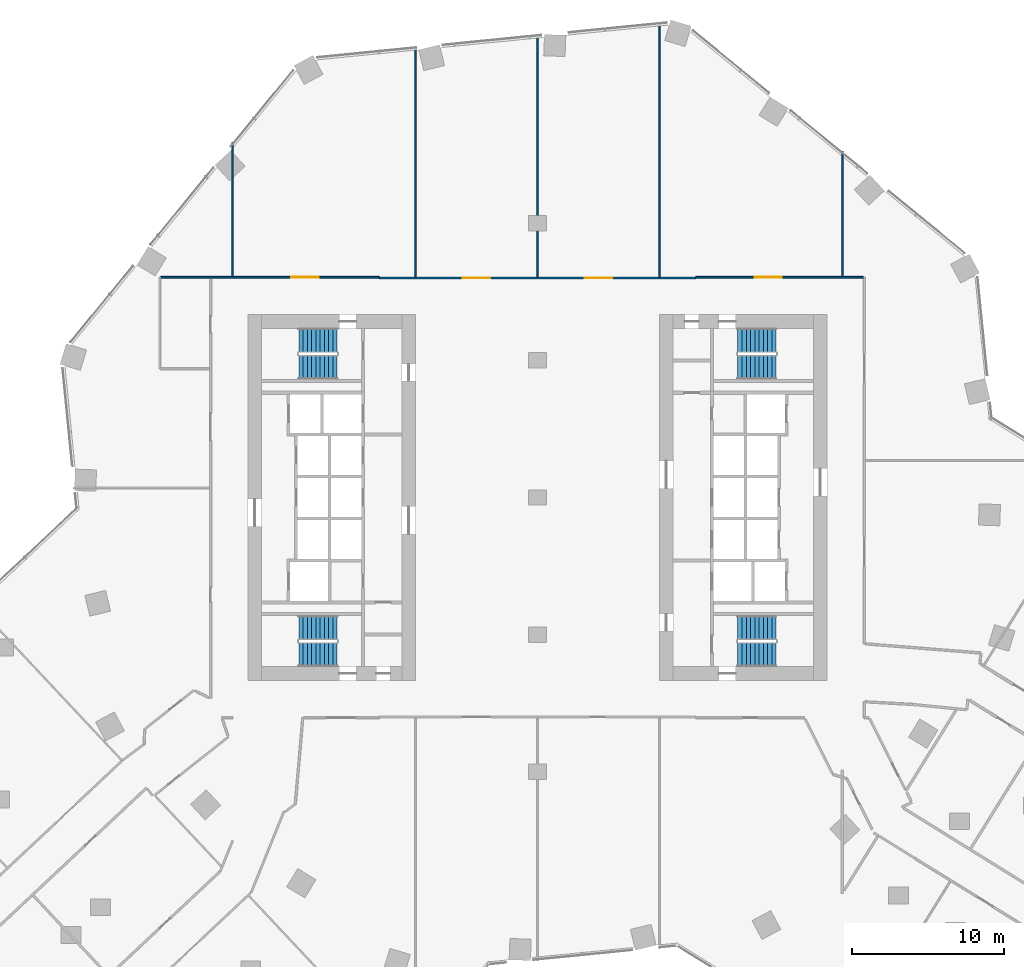
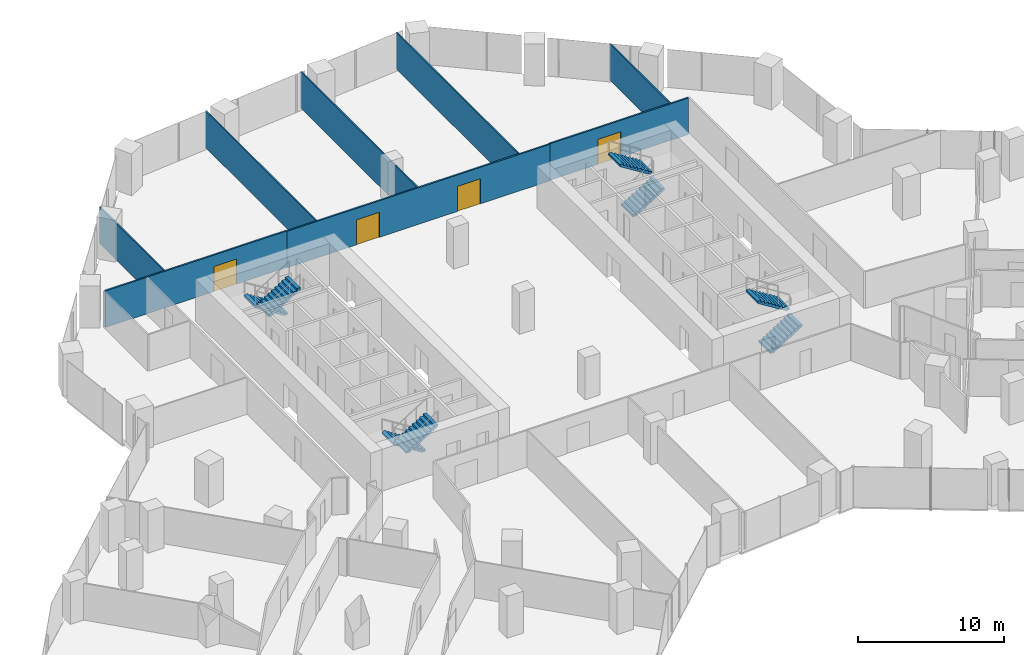
# One storey, part 33 of 34: 8 stair flights, 8 walls, 4 doors, 4 openings, 4 elements without a shape of their own.
"""IFC4 building model written with IfcOpenShell, lengths in metres."""

from ifc_helpers import new_model, si_unit, direction, frame, frame_2d, origin, place, context, subcontext, project, spatial, polyline, rectangle, outline, extrude, material, layer, layer_set, type_object, element, fill, aggregate, save


model = new_model("IFC4")

# Units and contexts
model_context = context("Model", 3, precision=1e-05, world=origin(), true_north=direction((0.0, 1.0)))
body_context = subcontext(model_context, "Body", "Model", "MODEL_VIEW")
ifc_project = project(units=[si_unit("LENGTHUNIT", "METRE"), si_unit("AREAUNIT", "SQUARE_METRE"), si_unit("VOLUMEUNIT", "CUBIC_METRE"), si_unit("PLANEANGLEUNIT", "RADIAN"), si_unit("MASSUNIT", "GRAM", prefix="KILO")], contexts=[model_context])

# Site, building, storey
site_placement = place(None, origin())
site = spatial("IfcSite", under=ifc_project, at=site_placement, CompositionType="ELEMENT")
building_placement = place(site_placement, origin())
building = spatial("IfcBuilding", under=site, at=building_placement, Name="Orlundy Tower", CompositionType="ELEMENT")
storey_placement = place(building_placement, frame((0.0, 0.0, 47.800048828125)))
storey = spatial("IfcBuildingStorey", under=building, at=storey_placement, Name="L10", CompositionType="ELEMENT", Elevation=47.800048828125)

# Walls
ifc_material_1 = material(Name="Gypsum board partition")
ifc_layer_1 = layer(ifc_material_1, 0.10009765625)
ifc_layer_set_1 = layer_set([ifc_layer_1], Name="Floor partition 100")
wall_type_1 = type_object("IfcWallType", Name="Floor partition 100", PredefinedType="PARTITIONING", material=ifc_layer_set_1)
wall_1_placement = place(storey_placement, frame((20.0, 14.513916015625, 0.0), z_axis=(0.0, 0.0, 1.0), x_axis=(0.0, 1.0, 0.0)))
element("IfcWall", 1, at=wall_1_placement, inside=storey, type_object=wall_type_1, Name="wall-int-L10-077", PredefinedType="PARTITIONING", context=body_context, shape_type="SweptSolid", body=[
    extrude(rectangle(XDim=8.2060546875, YDim=0.10009765625, at=frame_2d((4.10302734375, 0.0))), origin(), (0.0, 0.0, 1.0), 3.06005859375),
])
wall_2_placement = place(storey_placement, frame((8.0, 14.462890625, 0.0), z_axis=(0.0, 0.0, 1.0), x_axis=(0.0, 1.0, 0.0)))
element("IfcWall", 2, at=wall_2_placement, inside=storey, type_object=wall_type_1, Name="wall-int-L10-079", PredefinedType="PARTITIONING", context=body_context, shape_type="SweptSolid", body=[
    extrude(rectangle(XDim=16.72900390625, YDim=0.10009765625, at=frame_2d((8.364501953125, 0.0))), origin(), (0.0, 0.0, 1.0), 3.06005859375),
])
wall_3_placement = place(storey_placement, frame((0.0, 14.462890625, 0.0), z_axis=(0.0, 0.0, 1.0), x_axis=(0.0, 1.0, 0.0)))
element("IfcWall", 3, at=wall_3_placement, inside=storey, type_object=wall_type_1, Name="wall-int-L10-081", PredefinedType="PARTITIONING", context=body_context, shape_type="SweptSolid", body=[
    extrude(rectangle(XDim=15.93505859375, YDim=0.10009765625, at=frame_2d((7.967529296875, 0.0))), origin(), (0.0, 0.0, 1.0), 3.06005859375),
])
wall_4_placement = place(storey_placement, frame((-8.0, 14.462890625, 0.0), z_axis=(0.0, 0.0, 1.0), x_axis=(0.0, 1.0, 0.0)))
element("IfcWall", 4, at=wall_4_placement, inside=storey, type_object=wall_type_1, Name="wall-int-L10-083", PredefinedType="PARTITIONING", context=body_context, shape_type="SweptSolid", body=[
    extrude(rectangle(XDim=15.14208984375, YDim=0.10009765625, at=frame_2d((7.571044921875, 0.0))), origin(), (0.0, 0.0, 1.0), 3.06005859375),
])
wall_5_placement = place(storey_placement, frame((-20.0, 14.513916015625, 0.0), z_axis=(0.0, 0.0, 1.0), x_axis=(0.0, 1.0, 0.0)))
element("IfcWall", 5, at=wall_5_placement, inside=storey, type_object=wall_type_1, Name="wall-int-L10-084", PredefinedType="PARTITIONING", context=body_context, shape_type="SweptSolid", body=[
    extrude(rectangle(XDim=8.80517578125, YDim=0.10009765625, at=frame_2d((4.402587890625, 0.0))), origin(), (0.0, 0.0, 1.0), 3.06005859375),
])

# Wall, openings, doors
ifc_material_2 = material(Name="Gypsum board partition, double layer")
ifc_layer_2 = layer(ifc_material_2, 0.125)
ifc_layer_set_2 = layer_set([ifc_layer_2], Name="Floor partition 125")
wall_type_2 = type_object("IfcWallType", Name="Floor partition 125", PredefinedType="PARTITIONING", material=ifc_layer_set_2)
wall_6_placement = place(storey_placement, frame((-10.389892578125, 14.40087890625, 0.0), z_axis=(0.0, 0.0, 1.0), x_axis=(1.0, 0.0, 0.0)))
wall_6 = element("IfcWall", 6, at=wall_6_placement, inside=storey, type_object=wall_type_2, Name="wall-int-L10-041", PredefinedType="PARTITIONING", context=body_context, shape_type="SweptSolid", body=[
    extrude(rectangle(XDim=20.781005859375, YDim=0.125, at=frame_2d((10.390625, 0.0))), origin(), (0.0, 0.0, 1.0), 3.06005859375),
])
opening_1_placement = place(wall_6_placement, frame((13.489990234375, 0.0, 0.0)))
opening_1 = element("IfcOpeningElement", 7, at=opening_1_placement, cuts=wall_6, Name="Opening 09132", PredefinedType="OPENING", context=body_context, shape_type="SweptSolid", body=[
    extrude(rectangle(XDim=1.800048828125, YDim=2.10009765625, at=frame_2d((0.89990234375, 1.050048828125))), frame((0.0, 0.072509765625, 0.0), z_axis=(0.0, -1.0, 0.0), x_axis=(1.0, 0.0, 0.0)), (0.0, 0.0, 1.0), 0.14501953125),
])
opening_2_placement = place(wall_6_placement, frame((5.489990234375, 0.0, 0.0)))
opening_2 = element("IfcOpeningElement", 8, at=opening_2_placement, cuts=wall_6, Name="Opening 09133", PredefinedType="OPENING", context=body_context, shape_type="SweptSolid", body=[
    extrude(rectangle(XDim=1.800048828125, YDim=2.10009765625, at=frame_2d((0.89990234375, 1.050048828125))), frame((0.0, 0.072509765625, 0.0), z_axis=(0.0, -1.0, 0.0), x_axis=(1.0, 0.0, 0.0)), (0.0, 0.0, 1.0), 0.14501953125),
])
ifc_material_3 = material(Name="Timber door leaf", Category="wood")
door_type = type_object("IfcDoorType", Name="Floor door double 1800 FD30S", OperationType="NOTDEFINED", PredefinedType="DOOR", material=ifc_material_3)
door_1_placement = place(opening_1_placement, origin())
door_1 = element("IfcDoor", 9, at=door_1_placement, inside=storey, type_object=door_type, Name="Door 09132", OperationType="DOUBLE_DOOR_SINGLE_SWING", OverallHeight=2.10009765625, OverallWidth=1.800048828125, PredefinedType="DOOR", context=body_context, shape_type="SweptSolid", body=[
    extrude(rectangle(XDim=1.800048828125, YDim=2.10009765625, at=frame_2d((0.89990234375, 1.050048828125))), frame((0.0, 0.02490234375, 0.0), z_axis=(0.0, -1.0, 0.0), x_axis=(1.0, 0.0, 0.0)), (0.0, 0.0, 1.0), 0.050048828125),
])
fill(opening_1, door_1)
door_2_placement = place(opening_2_placement, origin())
door_2 = element("IfcDoor", 10, at=door_2_placement, inside=storey, type_object=door_type, Name="Door 09133", OperationType="DOUBLE_DOOR_SINGLE_SWING", OverallHeight=2.10009765625, OverallWidth=1.800048828125, PredefinedType="DOOR", context=body_context, shape_type="SweptSolid", body=[
    extrude(rectangle(XDim=1.800048828125, YDim=2.10009765625, at=frame_2d((0.89990234375, 1.050048828125))), frame((0.0, 0.02490234375, 0.0), z_axis=(0.0, -1.0, 0.0), x_axis=(1.0, 0.0, 0.0)), (0.0, 0.0, 1.0), 0.050048828125),
])
fill(opening_2, door_2)

# Wall, opening, door
wall_7_placement = place(storey_placement, frame((-24.73095703125, 14.449951171875, 0.0), z_axis=(0.0, 0.0, 1.0), x_axis=(1.0, 0.0, 0.0)))
wall_7 = element("IfcWall", 11, at=wall_7_placement, inside=storey, type_object=wall_type_2, Name="wall-int-L10-042", PredefinedType="PARTITIONING", context=body_context, shape_type="SweptSolid", body=[
    extrude(rectangle(XDim=14.33984375, YDim=0.125, at=frame_2d((7.169921875, 0.0))), origin(), (0.0, 0.0, 1.0), 3.06005859375),
])
opening_3_placement = place(wall_7_placement, frame((8.5810546875, 0.0, 0.0)))
opening_3 = element("IfcOpeningElement", 12, at=opening_3_placement, cuts=wall_7, Name="Opening 09134", PredefinedType="OPENING", context=body_context, shape_type="SweptSolid", body=[
    extrude(rectangle(XDim=1.800048828125, YDim=2.10009765625, at=frame_2d((0.89990234375, 1.050048828125))), frame((0.0, 0.072509765625, 0.0), z_axis=(0.0, -1.0, 0.0), x_axis=(1.0, 0.0, 0.0)), (0.0, 0.0, 1.0), 0.14501953125),
])
door_3_placement = place(opening_3_placement, origin())
door_3 = element("IfcDoor", 13, at=door_3_placement, inside=storey, type_object=door_type, Name="Door 09134", OperationType="DOUBLE_DOOR_SINGLE_SWING", OverallHeight=2.10009765625, OverallWidth=1.800048828125, PredefinedType="DOOR", context=body_context, shape_type="SweptSolid", body=[
    extrude(rectangle(XDim=1.800048828125, YDim=2.10009765625, at=frame_2d((0.89990234375, 1.050048828125))), frame((0.0, 0.02490234375, 0.0), z_axis=(0.0, -1.0, 0.0), x_axis=(1.0, 0.0, 0.0)), (0.0, 0.0, 1.0), 0.050048828125),
])
fill(opening_3, door_3)

wall_8_placement = place(storey_placement, frame((10.39111328125, 14.450927734375, 0.0), z_axis=(0.0, 0.0, 1.0), x_axis=(1.0, 0.0, 0.0)))
wall_8 = element("IfcWall", 14, at=wall_8_placement, inside=storey, type_object=wall_type_2, Name="wall-int-L10-043", PredefinedType="PARTITIONING", context=body_context, shape_type="SweptSolid", body=[
    extrude(rectangle(XDim=10.995849609375, YDim=0.125, at=frame_2d((5.498046875, 0.0))), origin(), (0.0, 0.0, 1.0), 3.06005859375),
])
opening_4_placement = place(wall_8_placement, frame((3.85009765625, 0.0, 0.0)))
opening_4 = element("IfcOpeningElement", 15, at=opening_4_placement, cuts=wall_8, Name="Opening 09131", PredefinedType="OPENING", context=body_context, shape_type="SweptSolid", body=[
    extrude(rectangle(XDim=1.800048828125, YDim=2.10009765625, at=frame_2d((0.89990234375, 1.050048828125))), frame((0.0, 0.072509765625, 0.0), z_axis=(0.0, -1.0, 0.0), x_axis=(1.0, 0.0, 0.0)), (0.0, 0.0, 1.0), 0.14501953125),
])
door_4_placement = place(opening_4_placement, origin())
door_4 = element("IfcDoor", 16, at=door_4_placement, inside=storey, type_object=door_type, Name="Door 09131", OperationType="DOUBLE_DOOR_SINGLE_SWING", OverallHeight=2.10009765625, OverallWidth=1.800048828125, PredefinedType="DOOR", context=body_context, shape_type="SweptSolid", body=[
    extrude(rectangle(XDim=1.800048828125, YDim=2.10009765625, at=frame_2d((0.89990234375, 1.050048828125))), frame((0.0, 0.02490234375, 0.0), z_axis=(0.0, -1.0, 0.0), x_axis=(1.0, 0.0, 0.0)), (0.0, 0.0, 1.0), 0.050048828125),
])
fill(opening_4, door_4)

# Stair, stair flights
ifc_material_4 = material(Name="Concrete C50/60", Category="concrete")
stair_type = type_object("IfcStairType", Name="Exit Stair 20 risers", PredefinedType="HALF_TURN_STAIR", material=ifc_material_4)
stair_1_placement = place(storey_placement, origin())
stair_1 = element("IfcStair", 17, at=stair_1_placement, inside=storey, type_object=stair_type, Name="L10 Exit Stair ST-W1", PredefinedType="HALF_TURN_STAIR")
ifc_material_5 = material(Name="Concrete C50/60", Category="concrete")
stair_flight_type = type_object("IfcStairFlightType", Name="Stair Flight 10 risers", PredefinedType="STRAIGHT", material=ifc_material_5)
stair_flight_1_placement = place(storey_placement, frame((-13.139892578125, 10.300048828125, 0.0), z_axis=(0.0, 0.0, 1.0), x_axis=(-1.0, 0.0, 0.0)))
stair_flight_1 = element("IfcStairFlight", 18, at=stair_flight_1_placement, type_object=stair_flight_type, Name="ST-W1 flight 1", NumberOfRisers=10, NumberOfTreads=9, PredefinedType="STRAIGHT", RiserHeight=0.175, TreadLength=0.28, context=body_context, shape_type="SweptSolid", body=[
    extrude(outline(polyline([(0.0, 0.0), (0.0, 0.175048828125), (0.280029296875, 0.175048828125), (0.280029296875, 0.35009765625), (0.56005859375, 0.35009765625), (0.56005859375, 0.52490234375), (0.840087890625, 0.52490234375), (0.840087890625, 0.699951171875), (1.1201171875, 0.699951171875), (1.1201171875, 0.875), (1.39990234375, 0.875), (1.39990234375, 1.050048828125), (1.679931640625, 1.050048828125), (1.679931640625, 1.22509765625), (1.9599609375, 1.22509765625), (1.9599609375, 1.39990234375), (2.239990234375, 1.39990234375), (2.239990234375, 1.574951171875), (2.52001953125, 1.574951171875), (2.52001953125, 1.75), (2.52001953125, 1.398193359375), (0.28271484375, 0.0), (0.0, 0.0)])), frame((0.0, 0.800048828125, 0.0), z_axis=(0.0, -1.0, 0.0), x_axis=(1.0, 0.0, 0.0)), (0.0, 0.0, 1.0), 1.60009765625),
])
stair_flight_2_placement = place(storey_placement, frame((-15.659912109375, 8.550048828125, 1.75), z_axis=(0.0, 0.0, 1.0), x_axis=(1.0, 0.0, 0.0)))
stair_flight_2 = element("IfcStairFlight", 19, at=stair_flight_2_placement, type_object=stair_flight_type, Name="ST-W1 flight 2", NumberOfRisers=10, NumberOfTreads=9, PredefinedType="STRAIGHT", RiserHeight=0.175, TreadLength=0.28, context=body_context, shape_type="SweptSolid", body=[
    extrude(outline(polyline([(0.0, 0.0), (0.0, 0.175048828125), (0.280029296875, 0.175048828125), (0.280029296875, 0.35009765625), (0.56005859375, 0.35009765625), (0.56005859375, 0.52490234375), (0.840087890625, 0.52490234375), (0.840087890625, 0.699951171875), (1.1201171875, 0.699951171875), (1.1201171875, 0.875), (1.39990234375, 0.875), (1.39990234375, 1.050048828125), (1.679931640625, 1.050048828125), (1.679931640625, 1.22509765625), (1.9599609375, 1.22509765625), (1.9599609375, 1.39990234375), (2.239990234375, 1.39990234375), (2.239990234375, 1.574951171875), (2.52001953125, 1.574951171875), (2.52001953125, 1.75), (2.52001953125, 1.398193359375), (0.28271484375, 0.0), (0.0, 0.0)])), frame((0.0, 0.800048828125, 0.0), z_axis=(0.0, -1.0, 0.0), x_axis=(1.0, 0.0, 0.0)), (0.0, 0.0, 1.0), 1.60009765625),
])
aggregate(stair_1, [stair_flight_1, stair_flight_2])

stair_2_placement = place(storey_placement, origin())
stair_2 = element("IfcStair", 20, at=stair_2_placement, inside=storey, type_object=stair_type, Name="L10 Exit Stair ST-W2", PredefinedType="HALF_TURN_STAIR")
stair_flight_3_placement = place(storey_placement, frame((-13.139892578125, -8.550048828125, 0.0), z_axis=(0.0, 0.0, 1.0), x_axis=(-1.0, 0.0, 0.0)))
stair_flight_3 = element("IfcStairFlight", 21, at=stair_flight_3_placement, type_object=stair_flight_type, Name="ST-W2 flight 1", NumberOfRisers=10, NumberOfTreads=9, PredefinedType="STRAIGHT", RiserHeight=0.175, TreadLength=0.28, context=body_context, shape_type="SweptSolid", body=[
    extrude(outline(polyline([(0.0, 0.0), (0.0, 0.175048828125), (0.280029296875, 0.175048828125), (0.280029296875, 0.35009765625), (0.56005859375, 0.35009765625), (0.56005859375, 0.52490234375), (0.840087890625, 0.52490234375), (0.840087890625, 0.699951171875), (1.1201171875, 0.699951171875), (1.1201171875, 0.875), (1.39990234375, 0.875), (1.39990234375, 1.050048828125), (1.679931640625, 1.050048828125), (1.679931640625, 1.22509765625), (1.9599609375, 1.22509765625), (1.9599609375, 1.39990234375), (2.239990234375, 1.39990234375), (2.239990234375, 1.574951171875), (2.52001953125, 1.574951171875), (2.52001953125, 1.75), (2.52001953125, 1.398193359375), (0.28271484375, 0.0), (0.0, 0.0)])), frame((0.0, 0.800048828125, 0.0), z_axis=(0.0, -1.0, 0.0), x_axis=(1.0, 0.0, 0.0)), (0.0, 0.0, 1.0), 1.60009765625),
])
stair_flight_4_placement = place(storey_placement, frame((-15.659912109375, -10.300048828125, 1.75), z_axis=(0.0, 0.0, 1.0), x_axis=(1.0, 0.0, 0.0)))
stair_flight_4 = element("IfcStairFlight", 22, at=stair_flight_4_placement, type_object=stair_flight_type, Name="ST-W2 flight 2", NumberOfRisers=10, NumberOfTreads=9, PredefinedType="STRAIGHT", RiserHeight=0.175, TreadLength=0.28, context=body_context, shape_type="SweptSolid", body=[
    extrude(outline(polyline([(0.0, 0.0), (0.0, 0.175048828125), (0.280029296875, 0.175048828125), (0.280029296875, 0.35009765625), (0.56005859375, 0.35009765625), (0.56005859375, 0.52490234375), (0.840087890625, 0.52490234375), (0.840087890625, 0.699951171875), (1.1201171875, 0.699951171875), (1.1201171875, 0.875), (1.39990234375, 0.875), (1.39990234375, 1.050048828125), (1.679931640625, 1.050048828125), (1.679931640625, 1.22509765625), (1.9599609375, 1.22509765625), (1.9599609375, 1.39990234375), (2.239990234375, 1.39990234375), (2.239990234375, 1.574951171875), (2.52001953125, 1.574951171875), (2.52001953125, 1.75), (2.52001953125, 1.398193359375), (0.28271484375, 0.0), (0.0, 0.0)])), frame((0.0, 0.800048828125, 0.0), z_axis=(0.0, -1.0, 0.0), x_axis=(1.0, 0.0, 0.0)), (0.0, 0.0, 1.0), 1.60009765625),
])
aggregate(stair_2, [stair_flight_3, stair_flight_4])

stair_3_placement = place(storey_placement, origin())
stair_3 = element("IfcStair", 23, at=stair_3_placement, inside=storey, type_object=stair_type, Name="L10 Exit Stair ST-E1", PredefinedType="HALF_TURN_STAIR")
stair_flight_5_placement = place(storey_placement, frame((13.139892578125, -10.300048828125, 0.0), z_axis=(0.0, 0.0, 1.0), x_axis=(1.0, 0.0, 0.0)))
stair_flight_5 = element("IfcStairFlight", 24, at=stair_flight_5_placement, type_object=stair_flight_type, Name="ST-E1 flight 1", NumberOfRisers=10, NumberOfTreads=9, PredefinedType="STRAIGHT", RiserHeight=0.175, TreadLength=0.28, context=body_context, shape_type="SweptSolid", body=[
    extrude(outline(polyline([(0.0, 0.0), (0.0, 0.175048828125), (0.280029296875, 0.175048828125), (0.280029296875, 0.35009765625), (0.56005859375, 0.35009765625), (0.56005859375, 0.52490234375), (0.840087890625, 0.52490234375), (0.840087890625, 0.699951171875), (1.1201171875, 0.699951171875), (1.1201171875, 0.875), (1.39990234375, 0.875), (1.39990234375, 1.050048828125), (1.679931640625, 1.050048828125), (1.679931640625, 1.22509765625), (1.9599609375, 1.22509765625), (1.9599609375, 1.39990234375), (2.239990234375, 1.39990234375), (2.239990234375, 1.574951171875), (2.52001953125, 1.574951171875), (2.52001953125, 1.75), (2.52001953125, 1.398193359375), (0.28271484375, 0.0), (0.0, 0.0)])), frame((0.0, 0.800048828125, 0.0), z_axis=(0.0, -1.0, 0.0), x_axis=(1.0, 0.0, 0.0)), (0.0, 0.0, 1.0), 1.60009765625),
])
stair_flight_6_placement = place(storey_placement, frame((15.659912109375, -8.550048828125, 1.75), z_axis=(0.0, 0.0, 1.0), x_axis=(-1.0, 0.0, 0.0)))
stair_flight_6 = element("IfcStairFlight", 25, at=stair_flight_6_placement, type_object=stair_flight_type, Name="ST-E1 flight 2", NumberOfRisers=10, NumberOfTreads=9, PredefinedType="STRAIGHT", RiserHeight=0.175, TreadLength=0.28, context=body_context, shape_type="SweptSolid", body=[
    extrude(outline(polyline([(0.0, 0.0), (0.0, 0.175048828125), (0.280029296875, 0.175048828125), (0.280029296875, 0.35009765625), (0.56005859375, 0.35009765625), (0.56005859375, 0.52490234375), (0.840087890625, 0.52490234375), (0.840087890625, 0.699951171875), (1.1201171875, 0.699951171875), (1.1201171875, 0.875), (1.39990234375, 0.875), (1.39990234375, 1.050048828125), (1.679931640625, 1.050048828125), (1.679931640625, 1.22509765625), (1.9599609375, 1.22509765625), (1.9599609375, 1.39990234375), (2.239990234375, 1.39990234375), (2.239990234375, 1.574951171875), (2.52001953125, 1.574951171875), (2.52001953125, 1.75), (2.52001953125, 1.398193359375), (0.28271484375, 0.0), (0.0, 0.0)])), frame((0.0, 0.800048828125, 0.0), z_axis=(0.0, -1.0, 0.0), x_axis=(1.0, 0.0, 0.0)), (0.0, 0.0, 1.0), 1.60009765625),
])
aggregate(stair_3, [stair_flight_5, stair_flight_6])

stair_4_placement = place(storey_placement, origin())
stair_4 = element("IfcStair", 26, at=stair_4_placement, inside=storey, type_object=stair_type, Name="L10 Exit Stair ST-E2", PredefinedType="HALF_TURN_STAIR")
stair_flight_7_placement = place(storey_placement, frame((13.139892578125, 8.550048828125, 0.0), z_axis=(0.0, 0.0, 1.0), x_axis=(1.0, 0.0, 0.0)))
stair_flight_7 = element("IfcStairFlight", 27, at=stair_flight_7_placement, type_object=stair_flight_type, Name="ST-E2 flight 1", NumberOfRisers=10, NumberOfTreads=9, PredefinedType="STRAIGHT", RiserHeight=0.175, TreadLength=0.28, context=body_context, shape_type="SweptSolid", body=[
    extrude(outline(polyline([(0.0, 0.0), (0.0, 0.175048828125), (0.280029296875, 0.175048828125), (0.280029296875, 0.35009765625), (0.56005859375, 0.35009765625), (0.56005859375, 0.52490234375), (0.840087890625, 0.52490234375), (0.840087890625, 0.699951171875), (1.1201171875, 0.699951171875), (1.1201171875, 0.875), (1.39990234375, 0.875), (1.39990234375, 1.050048828125), (1.679931640625, 1.050048828125), (1.679931640625, 1.22509765625), (1.9599609375, 1.22509765625), (1.9599609375, 1.39990234375), (2.239990234375, 1.39990234375), (2.239990234375, 1.574951171875), (2.52001953125, 1.574951171875), (2.52001953125, 1.75), (2.52001953125, 1.398193359375), (0.28271484375, 0.0), (0.0, 0.0)])), frame((0.0, 0.800048828125, 0.0), z_axis=(0.0, -1.0, 0.0), x_axis=(1.0, 0.0, 0.0)), (0.0, 0.0, 1.0), 1.60009765625),
])
stair_flight_8_placement = place(storey_placement, frame((15.659912109375, 10.300048828125, 1.75), z_axis=(0.0, 0.0, 1.0), x_axis=(-1.0, 0.0, 0.0)))
stair_flight_8 = element("IfcStairFlight", 28, at=stair_flight_8_placement, type_object=stair_flight_type, Name="ST-E2 flight 2", NumberOfRisers=10, NumberOfTreads=9, PredefinedType="STRAIGHT", RiserHeight=0.175, TreadLength=0.28, context=body_context, shape_type="SweptSolid", body=[
    extrude(outline(polyline([(0.0, 0.0), (0.0, 0.175048828125), (0.280029296875, 0.175048828125), (0.280029296875, 0.35009765625), (0.56005859375, 0.35009765625), (0.56005859375, 0.52490234375), (0.840087890625, 0.52490234375), (0.840087890625, 0.699951171875), (1.1201171875, 0.699951171875), (1.1201171875, 0.875), (1.39990234375, 0.875), (1.39990234375, 1.050048828125), (1.679931640625, 1.050048828125), (1.679931640625, 1.22509765625), (1.9599609375, 1.22509765625), (1.9599609375, 1.39990234375), (2.239990234375, 1.39990234375), (2.239990234375, 1.574951171875), (2.52001953125, 1.574951171875), (2.52001953125, 1.75), (2.52001953125, 1.398193359375), (0.28271484375, 0.0), (0.0, 0.0)])), frame((0.0, 0.800048828125, 0.0), z_axis=(0.0, -1.0, 0.0), x_axis=(1.0, 0.0, 0.0)), (0.0, 0.0, 1.0), 1.60009765625),
])
aggregate(stair_4, [stair_flight_7, stair_flight_8])

save(model, "model.ifc")
